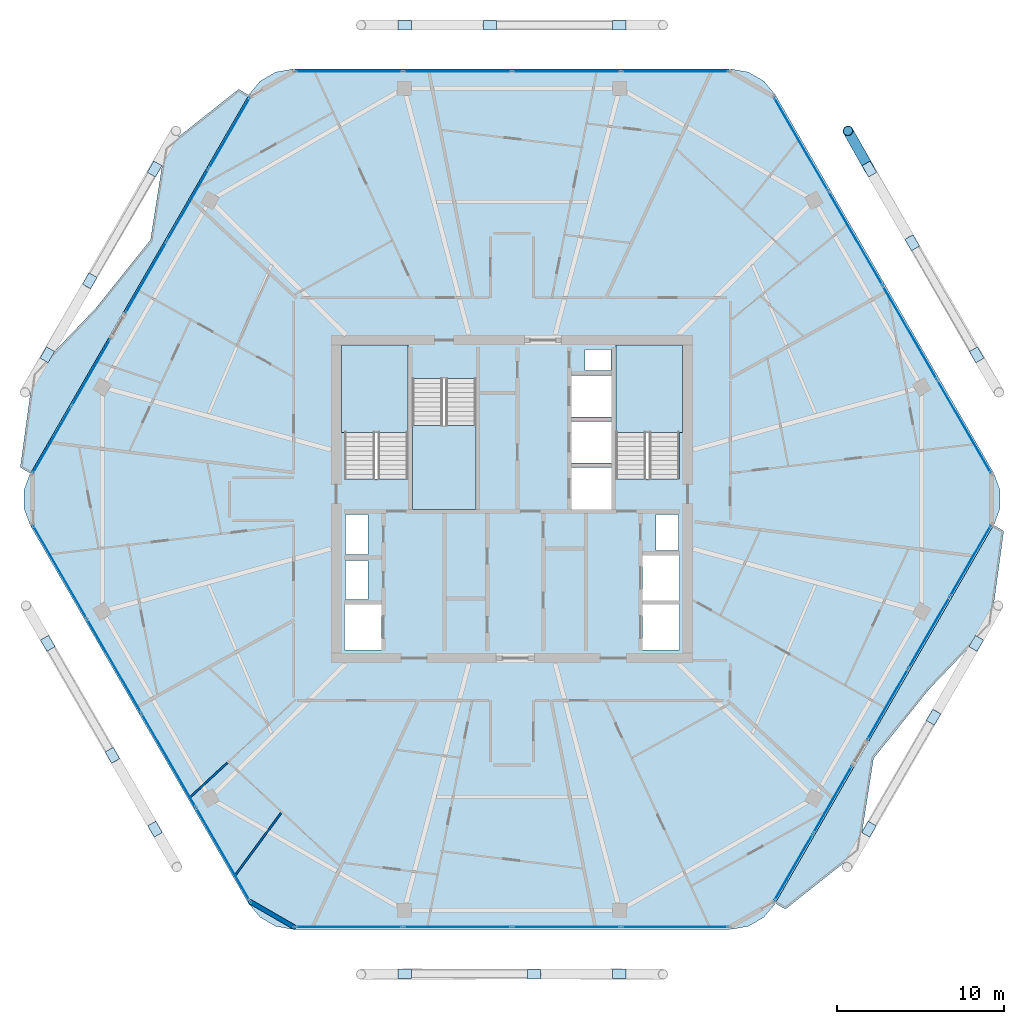
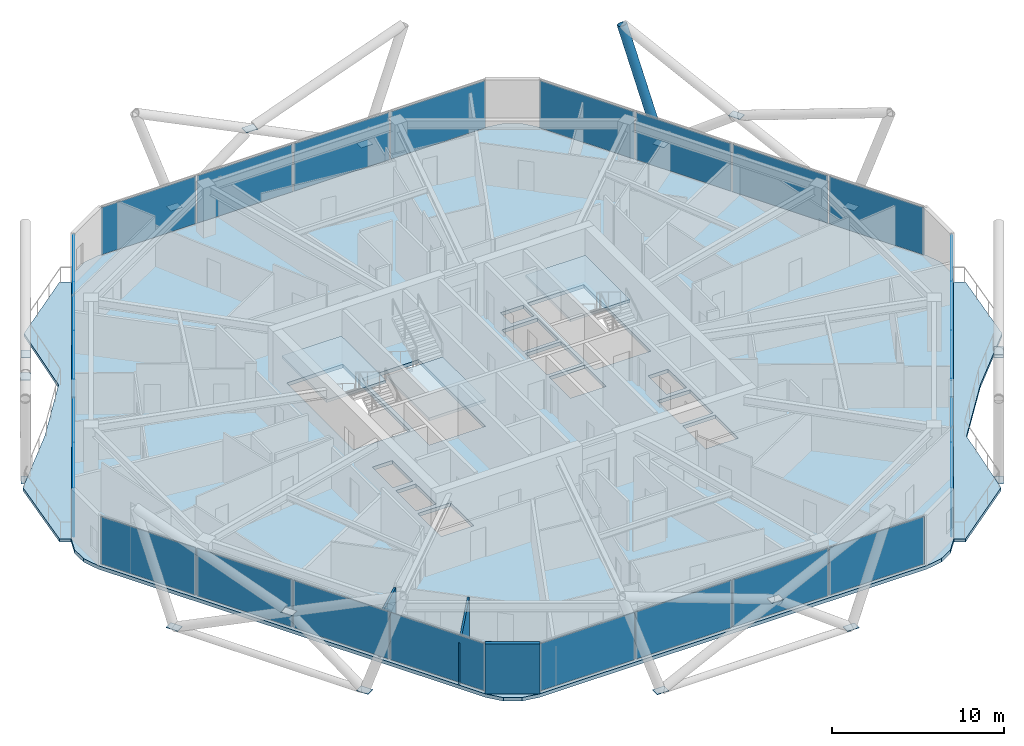
# One storey, part 19 of 29: 44 plates, 6 slabs, 3 walls, 1 member, 11 elements without a shape of their own.
"""IFC4 building model written with IfcOpenShell, lengths in metres."""

from ifc_helpers import new_model, si_unit, direction, frame, frame_2d, origin, origin_2d, place, context, subcontext, project, spatial, polyline, rectangle, hollow_circle, outline, extrude, material, layer, layer_set, material_profile, profile_set, type_object, element, aggregate, save


model = new_model("IFC4")

# Units and contexts
model_context = context("Model", 3, precision=1e-05, world=origin(), true_north=direction((0.0, 1.0)))
body_context = subcontext(model_context, "Body", "Model", "MODEL_VIEW")
ifc_project = project(units=[si_unit("LENGTHUNIT", "METRE"), si_unit("AREAUNIT", "SQUARE_METRE"), si_unit("VOLUMEUNIT", "CUBIC_METRE"), si_unit("PLANEANGLEUNIT", "RADIAN"), si_unit("MASSUNIT", "GRAM", prefix="KILO")], contexts=[model_context])

# Site, building, storey
site_placement = place(None, origin())
site = spatial("IfcSite", under=ifc_project, at=site_placement, CompositionType="ELEMENT")
building_placement = place(site_placement, origin())
building = spatial("IfcBuilding", under=site, at=building_placement, Name="Zuhravey Tower", CompositionType="ELEMENT")
storey_placement = place(building_placement, frame((0.0, 0.0, 269.199951171875)))
storey = spatial("IfcBuildingStorey", under=building, at=storey_placement, Name="L68", CompositionType="ELEMENT", Elevation=269.199951171875)

# Member
ifc_material_1 = material(Name="Steel SM355", Category="steel")
ifc_material_profile = material_profile(ifc_material_1, hollow_circle(Radius=0.3046875, WallThickness=0.028076171875, at=origin_2d()), Name="CHS-609.6x28")
ifc_profile_set = profile_set([ifc_material_profile], Name="Steel SM355")
member_type = type_object("IfcMemberType", Name="Exoskeleton Zone 3 Diagrid CHS610x28", PredefinedType="BRACE", material=ifc_profile_set)
member_placement = place(storey_placement, frame((57.34814453125, 51.7314453125, -0.446044921875), z_axis=(-0.159820539161, 0.284216938199, 0.94534550684), x_axis=(-0.871643002203, -0.490141282398, 0.0)))
element("IfcMember", 1, at=member_placement, inside=storey, type_object=member_type, Name="L68 Face 1 Diagrid Brace 4", PredefinedType="BRACE", context=body_context, shape_type="SweptSolid", body=[
    extrude(hollow_circle(Radius=0.3046875, WallThickness=0.028076171875, at=origin_2d()), origin(), (0.0, 0.0, 1.0), 8.00146484375),
])

# Plates
ifc_material_2 = material(Name="Steel SM460", Category="steel")
ifc_layer_1 = layer(ifc_material_2, 0.031982421875)
ifc_layer_set_1 = layer_set([ifc_layer_1], Name="Steel SM460")
plate_type_1 = type_object("IfcPlateType", Name="Exoskeleton Zone 3 Node Plate ND3", PredefinedType="SHEET", material=ifc_layer_set_1)
for number, where, z_axis, x_axis, name in (
    (2, (63.7587890625, 40.627685546875, -0.47998046875), (0.0, 0.0, 1.0), (-0.5, 0.866025403784, 0.0), "L68 Exoskeleton Node Gusset L68-01"),
    (3, (57.35107421875, 51.72607421875, -0.47998046875), (0.0, 0.0, 1.0), (-0.5, 0.866025403784, 0.0), "L68 Exoskeleton Node Gusset L68-02"),
    (4, (42.40771484375, 60.323486328125, -0.47998046875), (0.0, 0.0, 1.0), (-1.0, 0.0, 0.0), "L68 Exoskeleton Node Gusset L68-03"),
    (5, (29.59228515625, 60.323486328125, -0.47998046875), (0.0, 0.0, 1.0), (-1.0, 0.0, 0.0), "L68 Exoskeleton Node Gusset L68-04"),
    (6, (14.64892578125, 51.72607421875, -0.47998046875), (0.0, 0.0, 1.0), (-0.5, -0.866025403784, 0.0), "L68 Exoskeleton Node Gusset L68-05"),
    (7, (8.2412109375, 40.627685546875, -0.47998046875), (0.0, 0.0, 1.0), (-0.5, -0.866025403784, 0.0), "L68 Exoskeleton Node Gusset L68-06"),
    (8, (8.26708984375, 23.387451171875, -0.47998046875), (0.0, 0.0, 1.0), (0.5, -0.866025403784, 0.0), "L68 Exoskeleton Node Gusset L68-07"),
    (9, (14.6748046875, 12.2890625, -0.47998046875), (0.0, 0.0, 1.0), (0.5, -0.866025403784, 0.0), "L68 Exoskeleton Node Gusset L68-08"),
    (10, (29.59228515625, 3.646484375, -0.47998046875), (0.0, 0.0, 1.0), (1.0, 0.0, 0.0), "L68 Exoskeleton Node Gusset L68-09"),
    (11, (42.40771484375, 3.646484375, -0.47998046875), (0.0, 0.0, 1.0), (1.0, 0.0, 0.0), "L68 Exoskeleton Node Gusset L68-10"),
    (12, (57.3251953125, 12.2890625, -0.47998046875), (0.0, 0.0, 1.0), (0.5, 0.866025403784, 0.0), "L68 Exoskeleton Node Gusset L68-11"),
    (13, (63.73291015625, 23.387451171875, -0.47998046875), (0.0, 0.0, 1.0), (0.5, 0.866025403784, 0.0), "L68 Exoskeleton Node Gusset L68-12"),
    (14, (59.91259765625, 47.3193359375, 3.31982421875), (0.0, 0.0, 1.0), (-0.5, 0.866025403784, 0.0), "L68 Face 1 Diagrid X-Crossing Plate"),
    (15, (34.689208984375, 60.323486328125, 3.31982421875), (0.0, 0.0, 1.0), (-1.0, 0.0, 0.0), "L68 Face 2 Diagrid X-Crossing Plate"),
    (16, (10.776611328125, 45.04931640625, 3.31982421875), (0.0, 0.0, 1.0), (-0.5, -0.866025403784, 0.0), "L68 Face 3 Diagrid X-Crossing Plate"),
    (17, (12.12646484375, 16.703125, 3.31982421875), (0.0, 0.0, 1.0), (0.5, -0.866025403784, 0.0), "L68 Face 4 Diagrid X-Crossing Plate"),
    (18, (37.310791015625, 3.63134765625, 3.31982421875), (0.0, 0.0, 1.0), (1.0, 0.0, 0.0), "L68 Face 5 Diagrid X-Crossing Plate"),
    (19, (61.184326171875, 18.973388671875, 3.31982421875), (0.0, 0.0, 1.0), (0.5, 0.866025403784, 0.0), "L68 Face 6 Diagrid X-Crossing Plate"),
):
    element("IfcPlate", number, at=place(storey_placement, frame(where, z_axis=z_axis, x_axis=x_axis)), inside=storey, type_object=plate_type_1, Name=name, PredefinedType="SHEET", context=body_context, shape_type="SweptSolid", body=[
        extrude(rectangle(XDim=0.780029296875, YDim=0.56005859375, at=origin_2d()), origin(), (0.0, 0.0, 1.0), 0.031982421875),
    ])

# Slabs
ifc_material_3 = material(Name="Concrete C50/60", Category="concrete")
ifc_layer_2 = layer(ifc_material_3, 0.25)
ifc_layer_set_2 = layer_set([ifc_layer_2], Name="Concrete C50/60")
slab_type_1 = type_object("IfcSlabType", Name="Residential Acoustic Slab 250", PredefinedType="FLOOR", material=ifc_layer_set_2)
slab_1_placement = place(storey_placement, frame((0.0, 0.0, -0.25)))
element("IfcSlab", 20, at=slab_1_placement, inside=storey, type_object=slab_type_1, Name="L68 Floor Slab FS25", PredefinedType="FLOOR", context=body_context, shape_type="SweptSolid", body=[
    extrude(outline(polyline([(64.78515625, 30.449951171875), (65.1533203125, 31.461669921875), (65.1533203125, 32.538330078125), (64.78515625, 33.550048828125), (51.73486328125, 56.153564453125), (51.04296875, 56.978515625), (50.110595703125, 57.5166015625), (49.05029296875, 57.70361328125), (22.94970703125, 57.70361328125), (21.889404296875, 57.5166015625), (20.95703125, 56.978515625), (20.26513671875, 56.153564453125), (7.21484375, 33.550048828125), (6.8466796875, 32.538330078125), (6.8466796875, 31.461669921875), (7.21484375, 30.449951171875), (20.26513671875, 7.846435546875), (20.95703125, 7.021484375), (21.889404296875, 6.4833984375), (22.94970703125, 6.29638671875), (49.05029296875, 6.29638671875), (50.110595703125, 6.4833984375), (51.04296875, 7.021484375), (51.73486328125, 7.846435546875), (64.78515625, 30.449951171875)]), holes=[polyline([(29.800048828125, 33.20068359375), (29.800048828125, 41.0), (26.0, 41.0), (26.0, 33.20068359375), (29.800048828125, 33.20068359375)]), polyline([(46.0, 33.20068359375), (46.0, 41.0), (42.199951171875, 41.0), (42.199951171875, 33.20068359375), (46.0, 33.20068359375)]), polyline([(30.050048828125, 39.199462890625), (30.050048828125, 31.39990234375), (33.85009765625, 31.39990234375), (33.85009765625, 39.199462890625), (30.050048828125, 39.199462890625)]), polyline([(39.550048828125, 31.39990234375), (41.949951171875, 31.39990234375), (41.949951171875, 33.89990234375), (39.550048828125, 33.89990234375), (39.550048828125, 31.39990234375)]), polyline([(39.550048828125, 34.14990234375), (41.949951171875, 34.14990234375), (41.949951171875, 36.64990234375), (39.550048828125, 36.64990234375), (39.550048828125, 34.14990234375)]), polyline([(39.550048828125, 36.89990234375), (41.949951171875, 36.89990234375), (41.949951171875, 39.39990234375), (39.550048828125, 39.39990234375), (39.550048828125, 36.89990234375)]), polyline([(26.0, 23.0), (28.199951171875, 23.0), (28.199951171875, 25.699951171875), (26.0, 25.699951171875), (26.0, 23.0)]), polyline([(43.800048828125, 23.0), (46.0, 23.0), (46.0, 25.699951171875), (43.800048828125, 25.699951171875), (43.800048828125, 23.0)]), polyline([(43.800048828125, 25.949951171875), (46.0, 25.949951171875), (46.0, 28.64990234375), (43.800048828125, 28.64990234375), (43.800048828125, 25.949951171875)]), polyline([(26.050048828125, 26.0), (27.39990234375, 26.0), (27.39990234375, 28.35009765625), (26.050048828125, 28.35009765625), (26.050048828125, 26.0)]), polyline([(26.050048828125, 28.699951171875), (27.39990234375, 28.699951171875), (27.39990234375, 31.10009765625), (26.050048828125, 31.10009765625), (26.050048828125, 28.699951171875)]), polyline([(44.60009765625, 28.949951171875), (45.949951171875, 28.949951171875), (45.949951171875, 31.10009765625), (44.60009765625, 31.10009765625), (44.60009765625, 28.949951171875)]), polyline([(40.35009765625, 39.699951171875), (41.89990234375, 39.699951171875), (41.89990234375, 40.949951171875), (40.35009765625, 40.949951171875), (40.35009765625, 39.699951171875)])]), origin(), (0.0, 0.0, 1.0), 0.25),
])
ifc_material_4 = material(Name="Concrete C40/50", Category="concrete")
ifc_layer_3 = layer(ifc_material_4, 0.219970703125)
ifc_layer_set_3 = layer_set([ifc_layer_3], Name="Concrete C40/50")
slab_type_2 = type_object("IfcSlabType", Name="Sinusoidal Residential Wave Balcony 220", PredefinedType="FLOOR", material=ifc_layer_set_3)
slab_2_placement = place(storey_placement, frame((0.0, 0.0, -0.219970703125)))
element("IfcSlab", 21, at=slab_2_placement, inside=storey, type_object=slab_type_2, Name="L68 Face 3 Wave Balcony WB22", PredefinedType="FLOOR", context=body_context, shape_type="SweptSolid", body=[
    extrude(outline(polyline([(20.273681640625, 56.138671875), (7.232177734375, 33.550048828125), (6.6259765625, 33.89990234375), (7.3876953125, 39.48388671875), (11.099365234375, 43.364501953125), (14.402099609375, 47.4814453125), (15.268310546875, 53.0048828125), (19.66748046875, 56.488525390625), (20.273681640625, 56.138671875)])), origin(), (0.0, 0.0, 1.0), 0.219970703125),
])
slab_3_placement = place(storey_placement, frame((0.0, 0.0, -0.219970703125)))
element("IfcSlab", 22, at=slab_3_placement, inside=storey, type_object=slab_type_2, Name="L68 Face 6 Wave Balcony WB22", PredefinedType="FLOOR", context=body_context, shape_type="SweptSolid", body=[
    extrude(outline(polyline([(51.726318359375, 7.861328125), (64.767822265625, 30.449951171875), (65.3740234375, 30.10009765625), (64.6123046875, 24.51611328125), (60.900634765625, 20.635498046875), (57.597900390625, 16.5185546875), (56.731689453125, 10.9951171875), (52.33251953125, 7.511474609375), (51.726318359375, 7.861328125)])), origin(), (0.0, 0.0, 1.0), 0.219970703125),
])

# Stair, slab
stair_type = type_object("IfcStairType", Name="Housing Storey Stair Assembly 3800", PredefinedType="HALF_TURN_STAIR", material=ifc_material_4)
stair_1_placement = place(storey_placement, origin())
stair_1 = element("IfcStair", 23, at=stair_1_placement, inside=storey, type_object=stair_type, Name="L68 Core Exit Stair ST1", PredefinedType="HALF_TURN_STAIR")
ifc_layer_4 = layer(ifc_material_4, 0.199951171875)
ifc_layer_set_4 = layer_set([ifc_layer_4], Name="Concrete C40/50")
slab_type_3 = type_object("IfcSlabType", Name="Stair Landing Slab 200", PredefinedType="LANDING", material=ifc_layer_set_4)
slab_4_placement = place(storey_placement, frame((0.0, 0.0, 1.699951171875)))
slab_4 = element("IfcSlab", 24, at=slab_4_placement, type_object=slab_type_3, Name="ST1 landing 1", PredefinedType="LANDING", context=body_context, shape_type="SweptSolid", body=[
    extrude(outline(polyline([(29.800048828125, 36.0), (29.800048828125, 41.197998046875), (25.802001953125, 41.197998046875), (25.802001953125, 36.0), (29.800048828125, 36.0)])), origin(), (0.0, 0.0, 1.0), 0.2001953125),
])
aggregate(stair_1, [slab_4])

stair_2_placement = place(storey_placement, origin())
stair_2 = element("IfcStair", 25, at=stair_2_placement, inside=storey, type_object=stair_type, Name="L68 Core Exit Stair ST2", PredefinedType="HALF_TURN_STAIR")
slab_5_placement = place(storey_placement, frame((0.0, 0.0, 1.699951171875)))
slab_5 = element("IfcSlab", 26, at=slab_5_placement, type_object=slab_type_3, Name="ST2 landing 1", PredefinedType="LANDING", context=body_context, shape_type="SweptSolid", body=[
    extrude(outline(polyline([(46.197998046875, 36.0), (46.197998046875, 41.197998046875), (42.199951171875, 41.197998046875), (42.199951171875, 36.0), (46.197998046875, 36.0)])), origin(), (0.0, 0.0, 1.0), 0.2001953125),
])
aggregate(stair_2, [slab_5])

stair_3_placement = place(storey_placement, origin())
stair_3 = element("IfcStair", 27, at=stair_3_placement, inside=storey, type_object=stair_type, Name="L68 Core Exit Stair ST3", PredefinedType="HALF_TURN_STAIR")
slab_6_placement = place(storey_placement, frame((0.0, 0.0, 1.699951171875)))
slab_6 = element("IfcSlab", 28, at=slab_6_placement, type_object=slab_type_3, Name="ST3 landing 1", PredefinedType="LANDING", context=body_context, shape_type="SweptSolid", body=[
    extrude(outline(polyline([(30.050048828125, 36.39990234375), (30.050048828125, 31.39990234375), (33.85009765625, 31.39990234375), (33.85009765625, 36.39990234375), (30.050048828125, 36.39990234375)])), origin(), (0.0, 0.0, 1.0), 0.2001953125),
])
aggregate(stair_3, [slab_6])

# Curtain wall, plates
ifc_material_5 = material(Name="Thermally broken anodised aluminium", Category="aluminium")
curtain_wall_type = type_object("IfcCurtainWallType", Name="Zone 3-4 High-Rise Curtain Wall CW4", PredefinedType="NOTDEFINED", material=ifc_material_5)
curtain_wall_1_placement = place(storey_placement, origin())
curtain_wall_1 = element("IfcCurtainWall", 29, at=curtain_wall_1_placement, inside=storey, type_object=curtain_wall_type, Name="L68 CW4 CW-L68-F6-1", PredefinedType="NOTDEFINED")
ifc_material_6 = material(Name="Triple low-E insulated vision glass", Category="glass")
ifc_layer_5 = layer(ifc_material_6, 0.0419921875)
ifc_layer_set_5 = layer_set([ifc_layer_5], Name="Triple low-E insulated vision glass")
plate_type_2 = type_object("IfcPlateType", Name="Triple Low-E Vision Panel", PredefinedType="CURTAIN_PANEL", material=ifc_layer_set_5)
plate_1_placement = place(storey_placement, frame((63.391357421875, 28.31591796875, 0.090087890625), z_axis=(0.0, 0.0, 1.0), x_axis=(-0.499998791495, -0.866026101514, 0.0)))
plate_1 = element("IfcPlate", 30, at=plate_1_placement, type_object=plate_type_2, Name="CW4 panel 1.1", PredefinedType="CURTAIN_PANEL", context=body_context, shape_type="SweptSolid", body=[
    extrude(rectangle(XDim=4.835205078125, YDim=0.0419921875, at=origin_2d()), origin(), (0.0, 0.0, 1.0), 3.3701171875),
])
plate_2_placement = place(storey_placement, frame((60.91748046875, 24.031005859375, 0.090087890625), z_axis=(0.0, 0.0, 1.0), x_axis=(-0.499998791495, -0.866026101514, 0.0)))
plate_2 = element("IfcPlate", 31, at=plate_2_placement, type_object=plate_type_2, Name="CW4 panel 2.1", PredefinedType="CURTAIN_PANEL", context=body_context, shape_type="SweptSolid", body=[
    extrude(rectangle(XDim=4.880126953125, YDim=0.0419921875, at=origin_2d()), origin(), (0.0, 0.0, 1.0), 3.3701171875),
])
plate_3_placement = place(storey_placement, frame((58.443603515625, 19.74609375, 0.090087890625), z_axis=(0.0, 0.0, 1.0), x_axis=(-0.499998791495, -0.866026101514, 0.0)))
plate_3 = element("IfcPlate", 32, at=plate_3_placement, type_object=plate_type_2, Name="CW4 panel 3.1", PredefinedType="CURTAIN_PANEL", context=body_context, shape_type="SweptSolid", body=[
    extrude(rectangle(XDim=4.835205078125, YDim=0.0419921875, at=origin_2d()), origin(), (0.0, 0.0, 1.0), 3.3701171875),
])
aggregate(curtain_wall_1, [plate_1, plate_2, plate_3])

curtain_wall_2_placement = place(storey_placement, origin())
curtain_wall_2 = element("IfcCurtainWall", 33, at=curtain_wall_2_placement, inside=storey, type_object=curtain_wall_type, Name="L68 CW4 CW-L68-F6-2", PredefinedType="NOTDEFINED")
plate_4_placement = place(storey_placement, frame((55.151611328125, 14.04443359375, 0.090087890625), z_axis=(0.0, 0.0, 1.0), x_axis=(-0.500002574293, -0.866023917511, 0.0)))
plate_4 = element("IfcPlate", 34, at=plate_4_placement, type_object=plate_type_2, Name="CW4 panel 1.1", PredefinedType="CURTAIN_PANEL", context=body_context, shape_type="SweptSolid", body=[
    extrude(rectangle(XDim=4.572265625, YDim=0.0419921875, at=origin_2d()), origin(), (0.0, 0.0, 1.0), 3.3701171875),
])
plate_5_placement = place(storey_placement, frame((52.820556640625, 10.0068359375, 0.090087890625), z_axis=(0.0, 0.0, 1.0), x_axis=(-0.500002574293, -0.866023917511, 0.0)))
plate_5 = element("IfcPlate", 35, at=plate_5_placement, type_object=plate_type_2, Name="CW4 panel 2.1", PredefinedType="CURTAIN_PANEL", context=body_context, shape_type="SweptSolid", body=[
    extrude(rectangle(XDim=4.572265625, YDim=0.0419921875, at=origin_2d()), origin(), (0.0, 0.0, 1.0), 3.3701171875),
])
aggregate(curtain_wall_2, [plate_4, plate_5])

curtain_wall_3_placement = place(storey_placement, origin())
curtain_wall_3 = element("IfcCurtainWall", 36, at=curtain_wall_3_placement, inside=storey, type_object=curtain_wall_type, Name="L68 CW4 CW-L68-F5-1", PredefinedType="NOTDEFINED")
plate_6_placement = place(storey_placement, frame((45.737060546875, 6.436279296875, 0.090087890625), z_axis=(0.0, 0.0, 1.0), x_axis=(-1.0, 0.0, 0.0)))
plate_6 = element("IfcPlate", 37, at=plate_6_placement, type_object=plate_type_2, Name="CW4 panel 1.1", PredefinedType="CURTAIN_PANEL", context=body_context, shape_type="SweptSolid", body=[
    extrude(rectangle(XDim=6.371337890625, YDim=0.0419921875, at=origin_2d()), origin(), (0.0, 0.0, 1.0), 3.3701171875),
])
plate_7_placement = place(storey_placement, frame((39.253173828125, 6.436279296875, 0.090087890625), z_axis=(0.0, 0.0, 1.0), x_axis=(-1.0, 0.0, 0.0)))
plate_7 = element("IfcPlate", 38, at=plate_7_placement, type_object=plate_type_2, Name="CW4 panel 2.1", PredefinedType="CURTAIN_PANEL", context=body_context, shape_type="SweptSolid", body=[
    extrude(rectangle(XDim=6.416259765625, YDim=0.0419921875, at=origin_2d()), origin(), (0.0, 0.0, 1.0), 3.3701171875),
])
plate_8_placement = place(storey_placement, frame((32.746826171875, 6.436279296875, 0.090087890625), z_axis=(0.0, 0.0, 1.0), x_axis=(-1.0, 0.0, 0.0)))
plate_8 = element("IfcPlate", 39, at=plate_8_placement, type_object=plate_type_2, Name="CW4 panel 3.1", PredefinedType="CURTAIN_PANEL", context=body_context, shape_type="SweptSolid", body=[
    extrude(rectangle(XDim=6.416259765625, YDim=0.0419921875, at=origin_2d()), origin(), (0.0, 0.0, 1.0), 3.3701171875),
])
plate_9_placement = place(storey_placement, frame((26.262939453125, 6.436279296875, 0.090087890625), z_axis=(0.0, 0.0, 1.0), x_axis=(-1.0, 0.0, 0.0)))
plate_9 = element("IfcPlate", 40, at=plate_9_placement, type_object=plate_type_2, Name="CW4 panel 4.1", PredefinedType="CURTAIN_PANEL", context=body_context, shape_type="SweptSolid", body=[
    extrude(rectangle(XDim=6.371337890625, YDim=0.0419921875, at=origin_2d()), origin(), (0.0, 0.0, 1.0), 3.3701171875),
])
aggregate(curtain_wall_3, [plate_6, plate_7, plate_8, plate_9])

curtain_wall_4_placement = place(storey_placement, origin())
curtain_wall_4 = element("IfcCurtainWall", 41, at=curtain_wall_4_placement, inside=storey, type_object=curtain_wall_type, Name="L68 CW4 CW-L68-F4-1", PredefinedType="NOTDEFINED")
plate_10_placement = place(storey_placement, frame((18.729736328125, 10.78564453125, 0.090087890625), z_axis=(0.0, 0.0, 1.0), x_axis=(-0.500000957414, 0.866024851021, 0.0)))
plate_10 = element("IfcPlate", 42, at=plate_10_placement, type_object=plate_type_2, Name="CW4 panel 1.1", PredefinedType="CURTAIN_PANEL", context=body_context, shape_type="SweptSolid", body=[
    extrude(rectangle(XDim=6.371337890625, YDim=0.0419921875, at=origin_2d()), origin(), (0.0, 0.0, 1.0), 3.3701171875),
])
plate_11_placement = place(storey_placement, frame((15.48779296875, 16.40087890625, 0.090087890625), z_axis=(0.0, 0.0, 1.0), x_axis=(-0.500000957414, 0.866024851021, 0.0)))
plate_11 = element("IfcPlate", 43, at=plate_11_placement, type_object=plate_type_2, Name="CW4 panel 2.1", PredefinedType="CURTAIN_PANEL", context=body_context, shape_type="SweptSolid", body=[
    extrude(rectangle(XDim=6.416259765625, YDim=0.0419921875, at=origin_2d()), origin(), (0.0, 0.0, 1.0), 3.3701171875),
])
plate_12_placement = place(storey_placement, frame((12.234619140625, 22.03564453125, 0.090087890625), z_axis=(0.0, 0.0, 1.0), x_axis=(-0.500000957414, 0.866024851021, 0.0)))
plate_12 = element("IfcPlate", 44, at=plate_12_placement, type_object=plate_type_2, Name="CW4 panel 3.1", PredefinedType="CURTAIN_PANEL", context=body_context, shape_type="SweptSolid", body=[
    extrude(rectangle(XDim=6.416259765625, YDim=0.0419921875, at=origin_2d()), origin(), (0.0, 0.0, 1.0), 3.3701171875),
])
plate_13_placement = place(storey_placement, frame((8.99267578125, 27.650634765625, 0.090087890625), z_axis=(0.0, 0.0, 1.0), x_axis=(-0.500000957414, 0.866024851021, 0.0)))
plate_13 = element("IfcPlate", 45, at=plate_13_placement, type_object=plate_type_2, Name="CW4 panel 4.1", PredefinedType="CURTAIN_PANEL", context=body_context, shape_type="SweptSolid", body=[
    extrude(rectangle(XDim=6.371337890625, YDim=0.0419921875, at=origin_2d()), origin(), (0.0, 0.0, 1.0), 3.3701171875),
])
aggregate(curtain_wall_4, [plate_10, plate_11, plate_12, plate_13])

curtain_wall_5_placement = place(storey_placement, origin())
curtain_wall_5 = element("IfcCurtainWall", 46, at=curtain_wall_5_placement, inside=storey, type_object=curtain_wall_type, Name="L68 CW4 CW-L68-F3-1", PredefinedType="NOTDEFINED")
plate_14_placement = place(storey_placement, frame((8.53515625, 35.556640625, 0.090087890625), z_axis=(0.0, 0.0, 1.0), x_axis=(0.500005703088, 0.86602211108, 0.0)))
plate_14 = element("IfcPlate", 47, at=plate_14_placement, type_object=plate_type_2, Name="CW4 panel 1.1", PredefinedType="CURTAIN_PANEL", context=body_context, shape_type="SweptSolid", body=[
    extrude(rectangle(XDim=4.540771484375, YDim=0.0419921875, at=origin_2d()), origin(), (0.0, 0.0, 1.0), 3.3701171875),
])
plate_15_placement = place(storey_placement, frame((10.8505859375, 39.56689453125, 0.090087890625), z_axis=(0.0, 0.0, 1.0), x_axis=(0.500005703088, 0.86602211108, 0.0)))
plate_15 = element("IfcPlate", 48, at=plate_15_placement, type_object=plate_type_2, Name="CW4 panel 2.1", PredefinedType="CURTAIN_PANEL", context=body_context, shape_type="SweptSolid", body=[
    extrude(rectangle(XDim=4.540771484375, YDim=0.0419921875, at=origin_2d()), origin(), (0.0, 0.0, 1.0), 3.3701171875),
])
aggregate(curtain_wall_5, [plate_14, plate_15])

curtain_wall_6_placement = place(storey_placement, origin())
curtain_wall_6 = element("IfcCurtainWall", 49, at=curtain_wall_6_placement, inside=storey, type_object=curtain_wall_type, Name="L68 CW4 CW-L68-F3-2", PredefinedType="NOTDEFINED")
plate_16_placement = place(storey_placement, frame((14.1396484375, 45.26416015625, 0.090087890625), z_axis=(0.0, 0.0, 1.0), x_axis=(0.499999745267, 0.866025550855, 0.0)))
plate_16 = element("IfcPlate", 50, at=plate_16_placement, type_object=plate_type_2, Name="CW4 panel 1.1", PredefinedType="CURTAIN_PANEL", context=body_context, shape_type="SweptSolid", body=[
    extrude(rectangle(XDim=4.856201171875, YDim=0.0419921875, at=origin_2d()), origin(), (0.0, 0.0, 1.0), 3.3701171875),
])
plate_17_placement = place(storey_placement, frame((16.624267578125, 49.567138671875, 0.090087890625), z_axis=(0.0, 0.0, 1.0), x_axis=(0.499999745267, 0.866025550855, 0.0)))
plate_17 = element("IfcPlate", 51, at=plate_17_placement, type_object=plate_type_2, Name="CW4 panel 2.1", PredefinedType="CURTAIN_PANEL", context=body_context, shape_type="SweptSolid", body=[
    extrude(rectangle(XDim=4.9013671875, YDim=0.0419921875, at=origin_2d()), origin(), (0.0, 0.0, 1.0), 3.3701171875),
])
plate_18_placement = place(storey_placement, frame((19.108642578125, 53.870361328125, 0.090087890625), z_axis=(0.0, 0.0, 1.0), x_axis=(0.499999745267, 0.866025550855, 0.0)))
plate_18 = element("IfcPlate", 52, at=plate_18_placement, type_object=plate_type_2, Name="CW4 panel 3.1", PredefinedType="CURTAIN_PANEL", context=body_context, shape_type="SweptSolid", body=[
    extrude(rectangle(XDim=4.856201171875, YDim=0.0419921875, at=origin_2d()), origin(), (0.0, 0.0, 1.0), 3.3701171875),
])
aggregate(curtain_wall_6, [plate_16, plate_17, plate_18])

curtain_wall_7_placement = place(storey_placement, origin())
curtain_wall_7 = element("IfcCurtainWall", 53, at=curtain_wall_7_placement, inside=storey, type_object=curtain_wall_type, Name="L68 CW4 CW-L68-F2-1", PredefinedType="NOTDEFINED")
plate_19_placement = place(storey_placement, frame((26.262939453125, 57.563720703125, 0.090087890625), z_axis=(0.0, 0.0, 1.0), x_axis=(1.0, 0.0, 0.0)))
plate_19 = element("IfcPlate", 54, at=plate_19_placement, type_object=plate_type_2, Name="CW4 panel 1.1", PredefinedType="CURTAIN_PANEL", context=body_context, shape_type="SweptSolid", body=[
    extrude(rectangle(XDim=6.371337890625, YDim=0.0419921875, at=origin_2d()), origin(), (0.0, 0.0, 1.0), 3.3701171875),
])
plate_20_placement = place(storey_placement, frame((32.746826171875, 57.563720703125, 0.090087890625), z_axis=(0.0, 0.0, 1.0), x_axis=(1.0, 0.0, 0.0)))
plate_20 = element("IfcPlate", 55, at=plate_20_placement, type_object=plate_type_2, Name="CW4 panel 2.1", PredefinedType="CURTAIN_PANEL", context=body_context, shape_type="SweptSolid", body=[
    extrude(rectangle(XDim=6.416259765625, YDim=0.0419921875, at=origin_2d()), origin(), (0.0, 0.0, 1.0), 3.3701171875),
])
plate_21_placement = place(storey_placement, frame((39.253173828125, 57.563720703125, 0.090087890625), z_axis=(0.0, 0.0, 1.0), x_axis=(1.0, 0.0, 0.0)))
plate_21 = element("IfcPlate", 56, at=plate_21_placement, type_object=plate_type_2, Name="CW4 panel 3.1", PredefinedType="CURTAIN_PANEL", context=body_context, shape_type="SweptSolid", body=[
    extrude(rectangle(XDim=6.416259765625, YDim=0.0419921875, at=origin_2d()), origin(), (0.0, 0.0, 1.0), 3.3701171875),
])
plate_22_placement = place(storey_placement, frame((45.737060546875, 57.563720703125, 0.090087890625), z_axis=(0.0, 0.0, 1.0), x_axis=(1.0, 0.0, 0.0)))
plate_22 = element("IfcPlate", 57, at=plate_22_placement, type_object=plate_type_2, Name="CW4 panel 4.1", PredefinedType="CURTAIN_PANEL", context=body_context, shape_type="SweptSolid", body=[
    extrude(rectangle(XDim=6.371337890625, YDim=0.0419921875, at=origin_2d()), origin(), (0.0, 0.0, 1.0), 3.3701171875),
])
aggregate(curtain_wall_7, [plate_19, plate_20, plate_21, plate_22])

curtain_wall_8_placement = place(storey_placement, origin())
curtain_wall_8 = element("IfcCurtainWall", 58, at=curtain_wall_8_placement, inside=storey, type_object=curtain_wall_type, Name="L68 CW4 CW-L68-F1-1", PredefinedType="NOTDEFINED")
plate_23_placement = place(storey_placement, frame((53.270263671875, 53.21435546875, 0.090087890625), z_axis=(0.0, 0.0, 1.0), x_axis=(0.500000957414, -0.866024851021, 0.0)))
plate_23 = element("IfcPlate", 59, at=plate_23_placement, type_object=plate_type_2, Name="CW4 panel 1.1", PredefinedType="CURTAIN_PANEL", context=body_context, shape_type="SweptSolid", body=[
    extrude(rectangle(XDim=6.371337890625, YDim=0.0419921875, at=origin_2d()), origin(), (0.0, 0.0, 1.0), 3.3701171875),
])
plate_24_placement = place(storey_placement, frame((56.51220703125, 47.59912109375, 0.090087890625), z_axis=(0.0, 0.0, 1.0), x_axis=(0.500000957414, -0.866024851021, 0.0)))
plate_24 = element("IfcPlate", 60, at=plate_24_placement, type_object=plate_type_2, Name="CW4 panel 2.1", PredefinedType="CURTAIN_PANEL", context=body_context, shape_type="SweptSolid", body=[
    extrude(rectangle(XDim=6.416259765625, YDim=0.0419921875, at=origin_2d()), origin(), (0.0, 0.0, 1.0), 3.3701171875),
])
plate_25_placement = place(storey_placement, frame((59.765380859375, 41.96435546875, 0.090087890625), z_axis=(0.0, 0.0, 1.0), x_axis=(0.500000957414, -0.866024851021, 0.0)))
plate_25 = element("IfcPlate", 61, at=plate_25_placement, type_object=plate_type_2, Name="CW4 panel 3.1", PredefinedType="CURTAIN_PANEL", context=body_context, shape_type="SweptSolid", body=[
    extrude(rectangle(XDim=6.416259765625, YDim=0.0419921875, at=origin_2d()), origin(), (0.0, 0.0, 1.0), 3.3701171875),
])
plate_26_placement = place(storey_placement, frame((63.00732421875, 36.349365234375, 0.090087890625), z_axis=(0.0, 0.0, 1.0), x_axis=(0.500000957414, -0.866024851021, 0.0)))
plate_26 = element("IfcPlate", 62, at=plate_26_placement, type_object=plate_type_2, Name="CW4 panel 4.1", PredefinedType="CURTAIN_PANEL", context=body_context, shape_type="SweptSolid", body=[
    extrude(rectangle(XDim=6.371337890625, YDim=0.0419921875, at=origin_2d()), origin(), (0.0, 0.0, 1.0), 3.3701171875),
])
aggregate(curtain_wall_8, [plate_23, plate_24, plate_25, plate_26])

# Walls
ifc_material_7 = material(Name="Precast concrete C40/50", Category="concrete")
ifc_layer_6 = layer(ifc_material_7, 0.280029296875)
ifc_layer_set_6 = layer_set([ifc_layer_6], Name="Precast concrete C40/50")
wall_type_1 = type_object("IfcWallType", Name="Crown Architectural Wall 280", PredefinedType="SOLIDWALL", material=ifc_layer_set_6)
wall_1_placement = place(storey_placement, frame((23.069580078125, 6.388916015625, 0.0), z_axis=(0.0, 0.0, 1.0), x_axis=(-0.866028773314, 0.499994163758, 0.0)))
element("IfcWall", 63, at=wall_1_placement, inside=storey, type_object=wall_type_1, Name="L68 Rounded Corner Closure Wall EW28-04", PredefinedType="SOLIDWALL", context=body_context, shape_type="SweptSolid", body=[
    extrude(rectangle(XDim=3.21484375, YDim=0.280029296875, at=frame_2d((1.607421875, 0.0))), origin(), (0.0, 0.0, 1.0), 3.550048828125),
])
ifc_material_8 = material(Name="Gypsum metal-stud partition")
ifc_layer_7 = layer(ifc_material_8, 0.1201171875)
ifc_layer_set_7 = layer_set([ifc_layer_7], Name="Gypsum metal-stud partition")
wall_type_2 = type_object("IfcWallType", Name="Unit Internal Partition 120", PredefinedType="PARTITIONING", material=ifc_layer_set_7)
wall_2_placement = place(storey_placement, frame((18.99560546875, 16.253662109375, 0.0), z_axis=(0.0, 0.0, 1.0), x_axis=(-0.733732538896, -0.679438416168, 0.0)))
element("IfcWall", 64, at=wall_2_placement, inside=storey, type_object=wall_type_2, Name="L68 IW12 Partition 035", PredefinedType="PARTITIONING", context=body_context, shape_type="SweptSolid", body=[
    extrude(rectangle(XDim=3.044189453125, YDim=0.1201171875, at=frame_2d((1.52197265625, 0.0))), origin(), (0.0, 0.0, 1.0), 2.929931640625),
])
wall_3_placement = place(storey_placement, frame((22.20751953125, 13.25830078125, 0.0), z_axis=(0.0, 0.0, 1.0), x_axis=(-0.592681807332, -0.80543669848, 0.0)))
element("IfcWall", 65, at=wall_3_placement, inside=storey, type_object=wall_type_2, Name="L68 IW12 Partition 083", PredefinedType="PARTITIONING", context=body_context, shape_type="SweptSolid", body=[
    extrude(rectangle(XDim=4.67041015625, YDim=0.1201171875, at=frame_2d((2.335205078125, 0.0))), origin(), (0.0, 0.0, 1.0), 2.929931640625),
])

save(model, "model.ifc")
